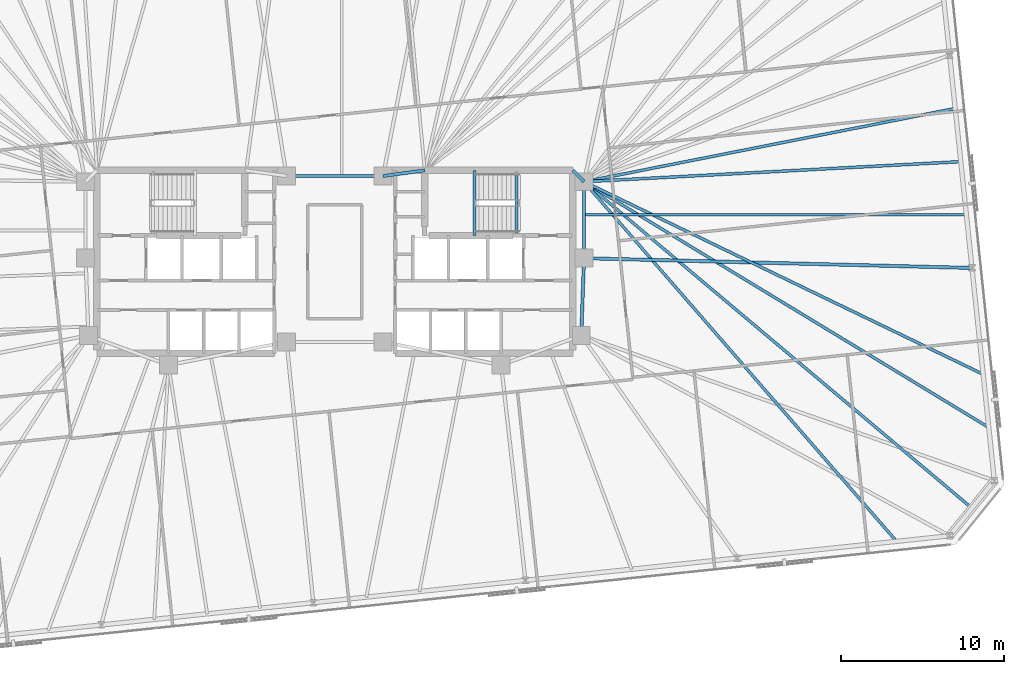
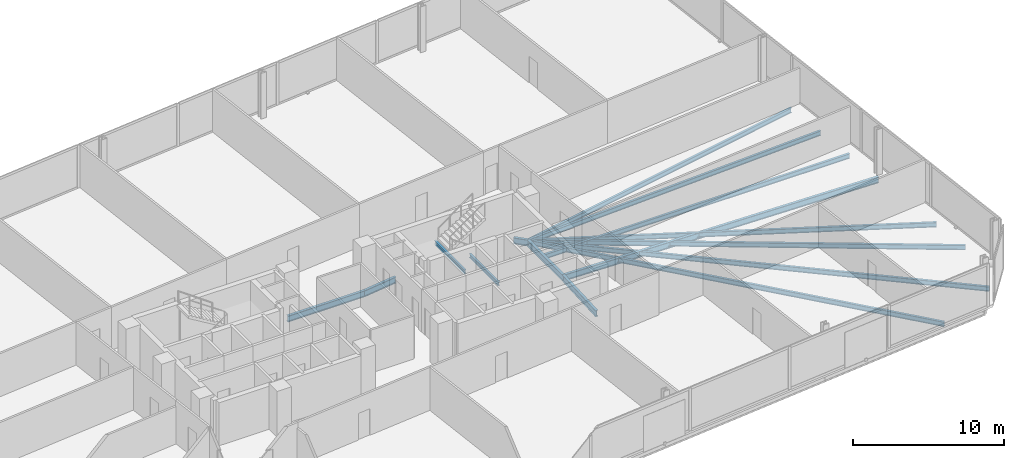
# One storey, part 8 of 18: 15 beams.
"""IFC4 building model written with IfcOpenShell, lengths in metres."""

from ifc_helpers import new_model, si_unit, direction, frame, origin, origin_2d, place, context, subcontext, project, spatial, i_section, extrude, material, material_profile, profile_set, type_object, element, save


model = new_model("IFC4")

# Units and contexts
model_context = context("Model", 3, precision=1e-05, world=origin(), true_north=direction((0.0, 1.0)))
body_context = subcontext(model_context, "Body", "Model", "MODEL_VIEW")
ifc_project = project(units=[si_unit("LENGTHUNIT", "METRE"), si_unit("AREAUNIT", "SQUARE_METRE"), si_unit("VOLUMEUNIT", "CUBIC_METRE"), si_unit("PLANEANGLEUNIT", "RADIAN"), si_unit("MASSUNIT", "GRAM", prefix="KILO")], contexts=[model_context])

# Site, building, storey
site_placement = place(None, origin())
site = spatial("IfcSite", under=ifc_project, at=site_placement, CompositionType="ELEMENT")
building_placement = place(site_placement, origin())
building = spatial("IfcBuilding", under=site, at=building_placement, Name="Menara Jurai Vektor", CompositionType="ELEMENT")
storey_placement = place(building_placement, frame((0.0, 0.0, 98.5)))
storey = spatial("IfcBuildingStorey", under=building, at=storey_placement, Name="L24", CompositionType="ELEMENT", Elevation=98.5)

# Beams
ifc_material = material(Name="Steel S355", Category="steel")
ifc_material_profile_1 = material_profile(ifc_material, i_section(OverallWidth=0.199951171875, OverallDepth=0.5, WebThickness=0.011962890625, FlangeThickness=0.02001953125, at=origin_2d()), Name="PG 500x200x96")
ifc_profile_set_1 = profile_set([ifc_material_profile_1], Name="Steel S355")
beam_type_1 = type_object("IfcBeamType", Name="STR-BM-500", PredefinedType="BEAM", material=ifc_profile_set_1)
beam_1_placement = place(storey_placement, frame((2.949951171875, 5.25, -0.47509765625), z_axis=(0.990706818608, 0.136014703483, 0.0), x_axis=(-0.136014703483, 0.990706818608, 0.0)))
element("IfcBeam", 1, at=beam_1_placement, inside=storey, type_object=beam_type_1, Name="Core Ring Header Girder L24-CHE-N1", PredefinedType="BEAM", context=body_context, shape_type="SweptSolid", body=[
    extrude(i_section(OverallWidth=0.199951171875, OverallDepth=0.5, WebThickness=0.011962890625, FlangeThickness=0.02001953125, at=origin_2d()), origin(), (0.0, 0.0, 1.0), 2.573974609375),
])
beam_2_placement = place(storey_placement, frame((14.56005859375, 5.60009765625, -0.47509765625), z_axis=(0.701871936926, -0.712303154672, 0.0), x_axis=(0.712303154672, 0.701871936926, 0.0)))
element("IfcBeam", 2, at=beam_2_placement, inside=storey, type_object=beam_type_1, Name="Core Ring Header Girder L24-CHE-N2", PredefinedType="BEAM", context=body_context, shape_type="SweptSolid", body=[
    extrude(i_section(OverallWidth=0.199951171875, OverallDepth=0.5, WebThickness=0.011962890625, FlangeThickness=0.02001953125, at=origin_2d()), origin(), (0.0, 0.0, 1.0), 0.98291015625),
])
beam_3_placement = place(storey_placement, frame((15.25, 0.219970703125, -0.47509765625), z_axis=(0.0, 1.0, 0.0), x_axis=(-1.0, 0.0, 0.0)))
element("IfcBeam", 3, at=beam_3_placement, inside=storey, type_object=beam_type_1, Name="Core Ring Header Girder L24-CHE-E1", PredefinedType="BEAM", context=body_context, shape_type="SweptSolid", body=[
    extrude(i_section(OverallWidth=0.199951171875, OverallDepth=0.5, WebThickness=0.011962890625, FlangeThickness=0.02001953125, at=origin_2d()), origin(), (0.0, 0.0, 1.0), 4.679931640625),
])
beam_4_placement = place(storey_placement, frame((15.080078125, -4.5, -0.47509765625), z_axis=(0.035977314146, 0.999352606874, 0.0), x_axis=(-0.999352606874, 0.035977314146, 0.0)))
element("IfcBeam", 4, at=beam_4_placement, inside=storey, type_object=beam_type_1, Name="Core Ring Header Girder L24-CHE-E2", PredefinedType="BEAM", context=body_context, shape_type="SweptSolid", body=[
    extrude(i_section(OverallWidth=0.199951171875, OverallDepth=0.5, WebThickness=0.011962890625, FlangeThickness=0.02001953125, at=origin_2d()), origin(), (0.0, 0.0, 1.0), 4.72314453125),
])
beam_5_placement = place(storey_placement, frame((-2.949951171875, 5.25, -0.47509765625), z_axis=(1.0, 0.0, 0.0), x_axis=(0.0, 1.0, 0.0)))
element("IfcBeam", 5, at=beam_5_placement, inside=storey, type_object=beam_type_1, Name="Core Ring Header Girder L24-CC-2", PredefinedType="BEAM", context=body_context, shape_type="SweptSolid", body=[
    extrude(i_section(OverallWidth=0.199951171875, OverallDepth=0.5, WebThickness=0.011962890625, FlangeThickness=0.02001953125, at=origin_2d()), origin(), (0.0, 0.0, 1.0), 5.89990234375),
])
beam_6_placement = place(storey_placement, frame((38.98828125, -0.375, -0.47509765625), z_axis=(-0.999686051749, 0.02505589629, 0.0), x_axis=(-0.02505589629, -0.999686051749, 0.0)))
element("IfcBeam", 6, at=beam_6_placement, inside=storey, type_object=beam_type_1, Name="Radial Floor Girder L24-E2", PredefinedType="BEAM", context=body_context, shape_type="SweptSolid", body=[
    extrude(i_section(OverallWidth=0.199951171875, OverallDepth=0.5, WebThickness=0.011962890625, FlangeThickness=0.02001953125, at=origin_2d()), origin(), (0.0, 0.0, 1.0), 23.745849609375),
])
ifc_material_profile_2 = material_profile(ifc_material, i_section(OverallWidth=0.175048828125, OverallDepth=0.3798828125, WebThickness=0.010009765625, FlangeThickness=0.014892578125, at=origin_2d()), Name="PG 380x175x58")
ifc_profile_set_2 = profile_set([ifc_material_profile_2], Name="Steel S355")
beam_type_2 = type_object("IfcBeamType", Name="STR-JS-380", PredefinedType="JOIST", material=ifc_profile_set_2)
beam_7_placement = place(storey_placement, frame((34.376953125, -17.106201171875, -0.4150390625), z_axis=(-0.656007047389, 0.754754763996, 0.0), x_axis=(-0.754754763996, -0.656007047389, 0.0)))
element("IfcBeam", 7, at=beam_7_placement, inside=storey, type_object=beam_type_2, Name="Radial Secondary Floor Joist L24-JS09", PredefinedType="JOIST", context=body_context, shape_type="SweptSolid", body=[
    extrude(i_section(OverallWidth=0.175048828125, OverallDepth=0.3798828125, WebThickness=0.010009765625, FlangeThickness=0.014892578125, at=origin_2d()), origin(), (0.0, 0.0, 1.0), 29.15673828125),
])
beam_8_placement = place(storey_placement, frame((38.989013671875, -15.076904296875, -0.4150390625), z_axis=(-0.765132553444, 0.643872794627, 0.0), x_axis=(-0.643872794627, -0.765132553444, 0.0)))
element("IfcBeam", 8, at=beam_8_placement, inside=storey, type_object=beam_type_2, Name="Radial Secondary Floor Joist L24-JS10", PredefinedType="JOIST", context=body_context, shape_type="SweptSolid", body=[
    extrude(i_section(OverallWidth=0.175048828125, OverallDepth=0.3798828125, WebThickness=0.010009765625, FlangeThickness=0.014892578125, at=origin_2d()), origin(), (0.0, 0.0, 1.0), 31.026123046875),
])
beam_9_placement = place(storey_placement, frame((40.01416015625, -10.13525390625, -0.4150390625), z_axis=(-0.854790986557, 0.518972416706, 0.0), x_axis=(-0.518972416706, -0.854790986557, 0.0)))
element("IfcBeam", 9, at=beam_9_placement, inside=storey, type_object=beam_type_2, Name="Radial Secondary Floor Joist L24-JS11", PredefinedType="JOIST", context=body_context, shape_type="SweptSolid", body=[
    extrude(i_section(OverallWidth=0.175048828125, OverallDepth=0.3798828125, WebThickness=0.010009765625, FlangeThickness=0.014892578125, at=origin_2d()), origin(), (0.0, 0.0, 1.0), 28.970947265625),
])
beam_10_placement = place(storey_placement, frame((39.672119140625, -6.8818359375, -0.4150390625), z_axis=(-0.90067072624, 0.434502293312, 0.0), x_axis=(-0.434502293312, -0.90067072624, 0.0)))
element("IfcBeam", 10, at=beam_10_placement, inside=storey, type_object=beam_type_2, Name="Radial Secondary Floor Joist L24-JS12", PredefinedType="JOIST", context=body_context, shape_type="SweptSolid", body=[
    extrude(i_section(OverallWidth=0.175048828125, OverallDepth=0.3798828125, WebThickness=0.010009765625, FlangeThickness=0.014892578125, at=origin_2d()), origin(), (0.0, 0.0, 1.0), 27.115478515625),
])
beam_11_placement = place(storey_placement, frame((38.646484375, 2.87841796875, -0.4150390625), z_axis=(-1.0, 0.0, 0.0), x_axis=(0.0, -1.0, 0.0)))
element("IfcBeam", 11, at=beam_11_placement, inside=storey, type_object=beam_type_2, Name="Radial Secondary Floor Joist L24-JS13", PredefinedType="JOIST", context=body_context, shape_type="SweptSolid", body=[
    extrude(i_section(OverallWidth=0.175048828125, OverallDepth=0.3798828125, WebThickness=0.010009765625, FlangeThickness=0.014892578125, at=origin_2d()), origin(), (0.0, 0.0, 1.0), 23.396484375),
])
beam_12_placement = place(storey_placement, frame((38.304443359375, 6.131591796875, -0.4150390625), z_axis=(-0.998575919005, -0.053349170414, 0.0), x_axis=(0.053349170414, -0.998575919005, 0.0)))
element("IfcBeam", 12, at=beam_12_placement, inside=storey, type_object=beam_type_2, Name="Radial Secondary Floor Joist L24-JS14", PredefinedType="JOIST", context=body_context, shape_type="SweptSolid", body=[
    extrude(i_section(OverallWidth=0.175048828125, OverallDepth=0.3798828125, WebThickness=0.010009765625, FlangeThickness=0.014892578125, at=origin_2d()), origin(), (0.0, 0.0, 1.0), 23.08740234375),
])
beam_13_placement = place(storey_placement, frame((37.96240234375, 9.385009765625, -0.4150390625), z_axis=(-0.981054359007, -0.193732662897, 0.0), x_axis=(0.193732662897, -0.981054359007, 0.0)))
element("IfcBeam", 13, at=beam_13_placement, inside=storey, type_object=beam_type_2, Name="Radial Secondary Floor Joist L24-JS15", PredefinedType="JOIST", context=body_context, shape_type="SweptSolid", body=[
    extrude(i_section(OverallWidth=0.175048828125, OverallDepth=0.3798828125, WebThickness=0.010009765625, FlangeThickness=0.014892578125, at=origin_2d()), origin(), (0.0, 0.0, 1.0), 23.151123046875),
])
ifc_material_profile_3 = material_profile(ifc_material, i_section(OverallWidth=0.1650390625, OverallDepth=0.302978515625, WebThickness=0.006103515625, FlangeThickness=0.010009765625, FilletRadius=0.009033203125, at=origin_2d()), Name="UKB 305x165x40")
ifc_profile_set_3 = profile_set([ifc_material_profile_3], Name="Steel S355")
beam_type_3 = type_object("IfcBeamType", Name="STR-LN-305", PredefinedType="LINTEL", material=ifc_profile_set_3)
beam_14_placement = place(storey_placement, frame((11.1201171875, 1.60009765625, -0.37646484375), z_axis=(0.0, 1.0, 0.0), x_axis=(-1.0, 0.0, 0.0)))
element("IfcBeam", 14, at=beam_14_placement, inside=storey, type_object=beam_type_3, Name="Stair Well Floor Trimmer ST2 L24", PredefinedType="LINTEL", context=body_context, shape_type="SweptSolid", body=[
    extrude(i_section(OverallWidth=0.1650390625, OverallDepth=0.302978515625, WebThickness=0.006103515625, FlangeThickness=0.010009765625, FilletRadius=0.009033203125, at=origin_2d()), origin(), (0.0, 0.0, 1.0), 3.81982421875),
])
beam_15_placement = place(storey_placement, frame((8.550048828125, 1.60009765625, 1.49853515625), z_axis=(0.0, 1.0, 0.0), x_axis=(-1.0, 0.0, 0.0)))
element("IfcBeam", 15, at=beam_15_placement, inside=storey, type_object=beam_type_3, Name="Stair Half-Landing Nosing Trimmer ST2-1 L24", PredefinedType="LINTEL", context=body_context, shape_type="SweptSolid", body=[
    extrude(i_section(OverallWidth=0.1650390625, OverallDepth=0.302978515625, WebThickness=0.006103515625, FlangeThickness=0.010009765625, FilletRadius=0.009033203125, at=origin_2d()), origin(), (0.0, 0.0, 1.0), 4.0),
])

save(model, "model.ifc")
